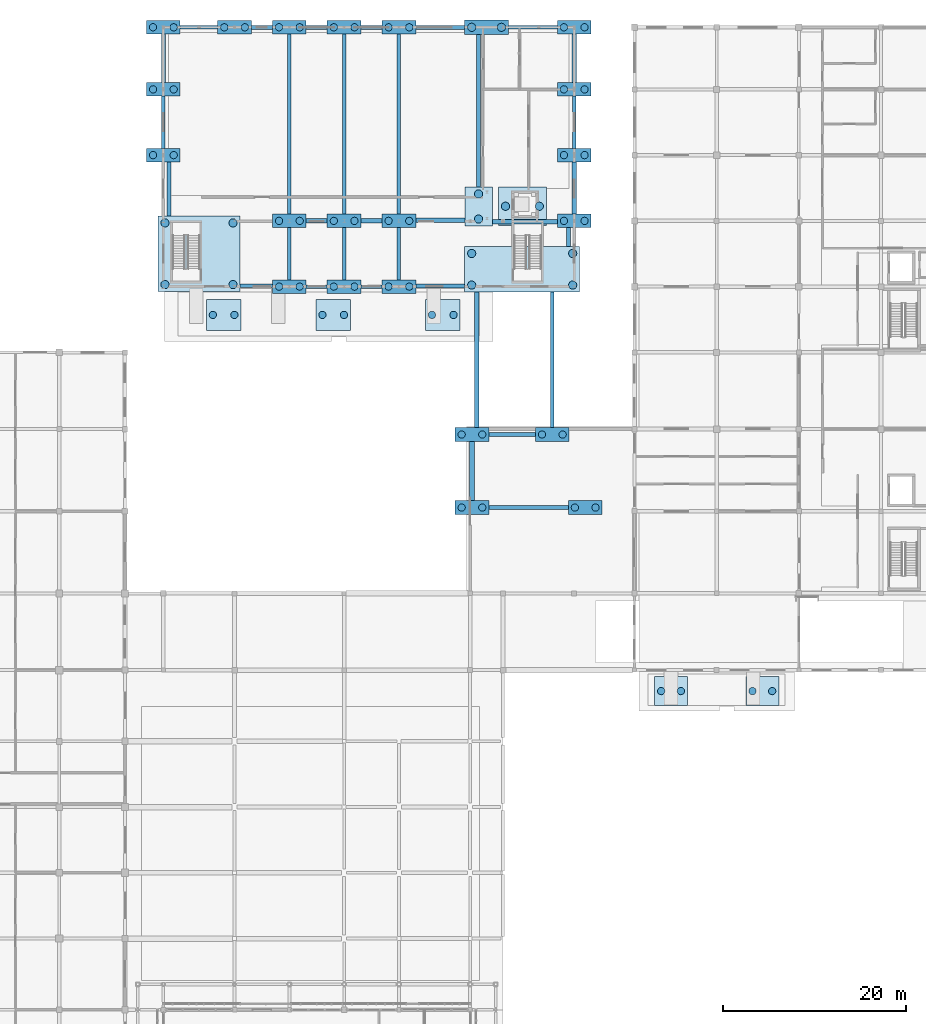
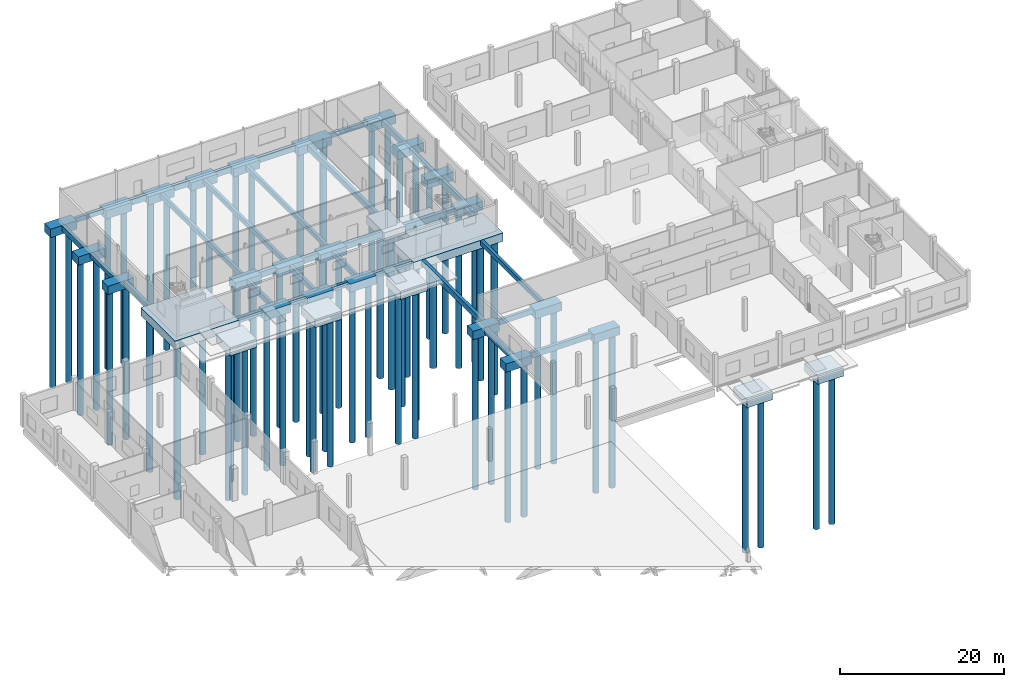
# One storey, part 1 of 91: 66 piles, 64 footings.
"""IFC4 building model written with IfcOpenShell, lengths in metres."""

from ifc_helpers import new_model, si_unit, direction, frame, origin, origin_2d, place, context, subcontext, project, spatial, rectangle, circle, extrude, material, material_profile, profile_set, type_object, element, save


model = new_model("IFC4")

# Units and contexts
model_context = context("Model", 3, precision=1e-05, world=origin(), true_north=direction((0.0, 1.0)))
body_context = subcontext(model_context, "Body", "Model", "MODEL_VIEW")
ifc_project = project(units=[si_unit("LENGTHUNIT", "METRE"), si_unit("AREAUNIT", "SQUARE_METRE"), si_unit("VOLUMEUNIT", "CUBIC_METRE"), si_unit("PLANEANGLEUNIT", "RADIAN"), si_unit("MASSUNIT", "GRAM", prefix="KILO")], contexts=[model_context])

# Site, building, storey
site_placement = place(None, origin())
site = spatial("IfcSite", under=ifc_project, at=site_placement, CompositionType="ELEMENT")
building_placement = place(site_placement, origin())
building = spatial("IfcBuilding", under=site, at=building_placement, Name="Vinh Khe Railworks Police Headquarters", CompositionType="ELEMENT")
storey_placement = place(building_placement, origin())
storey = spatial("IfcBuildingStorey", under=building, at=storey_placement, Name="L00", CompositionType="ELEMENT", Elevation=0.0)

# Piles
ifc_material = material(Name="Concrete C35/45 (B35)", Category="concrete")
ifc_material_profile_1 = material_profile(ifc_material, circle(Radius=0.39990234375, at=origin_2d()), Name="BORED PILE D800")
ifc_profile_set_1 = profile_set([ifc_material_profile_1], Name="Concrete C35/45 (B35)")
pile_type_1 = type_object("IfcPileType", Name="Bored Pile D800", PredefinedType="BORED", material=ifc_profile_set_1)
for number, where, z_axis, x_axis, name in (
    (1, (25.27001953125, 152.39990234375, -1.429931640625), (0.0, 0.0, -1.0), (1.0, 0.0, 0.0), "Bored Pile BP80-363"),
    (2, (27.530029296875, 152.39990234375, -1.429931640625), (0.0, 0.0, -1.0), (1.0, 0.0, 0.0), "Bored Pile BP80-364"),
    (3, (25.27001953125, 159.60009765625, -1.429931640625), (0.0, 0.0, -1.0), (1.0, 0.0, 0.0), "Bored Pile BP80-365"),
    (4, (27.530029296875, 159.60009765625, -1.429931640625), (0.0, 0.0, -1.0), (1.0, 0.0, 0.0), "Bored Pile BP80-366"),
    (5, (25.27001953125, 166.39990234375, -1.429931640625), (0.0, 0.0, -1.0), (1.0, 0.0, 0.0), "Bored Pile BP80-367"),
    (6, (27.530029296875, 166.39990234375, -1.429931640625), (0.0, 0.0, -1.0), (1.0, 0.0, 0.0), "Bored Pile BP80-368"),
    (7, (33.070068359375, 166.39990234375, -1.429931640625), (0.0, 0.0, -1.0), (1.0, 0.0, 0.0), "Bored Pile BP80-369"),
    (8, (35.330078125, 166.39990234375, -1.429931640625), (0.0, 0.0, -1.0), (1.0, 0.0, 0.0), "Bored Pile BP80-370"),
    (9, (39.070068359375, 138.0, -1.429931640625), (0.0, 0.0, -1.0), (1.0, 0.0, 0.0), "Bored Pile BP80-371"),
    (10, (41.330078125, 138.0, -1.429931640625), (0.0, 0.0, -1.0), (1.0, 0.0, 0.0), "Bored Pile BP80-372"),
    (11, (39.070068359375, 145.199951171875, -1.429931640625), (0.0, 0.0, -1.0), (1.0, 0.0, 0.0), "Bored Pile BP80-373"),
    (12, (41.330078125, 145.199951171875, -1.429931640625), (0.0, 0.0, -1.0), (1.0, 0.0, 0.0), "Bored Pile BP80-374"),
    (13, (39.070068359375, 166.39990234375, -1.429931640625), (0.0, 0.0, -1.0), (1.0, 0.0, 0.0), "Bored Pile BP80-375"),
    (14, (41.330078125, 166.39990234375, -1.429931640625), (0.0, 0.0, -1.0), (1.0, 0.0, 0.0), "Bored Pile BP80-376"),
    (15, (45.070068359375, 138.0, -1.429931640625), (0.0, 0.0, -1.0), (1.0, 0.0, 0.0), "Bored Pile BP80-377"),
    (16, (47.330078125, 138.0, -1.429931640625), (0.0, 0.0, -1.0), (1.0, 0.0, 0.0), "Bored Pile BP80-378"),
    (17, (45.070068359375, 145.199951171875, -1.429931640625), (0.0, 0.0, -1.0), (1.0, 0.0, 0.0), "Bored Pile BP80-379"),
    (18, (47.330078125, 145.199951171875, -1.429931640625), (0.0, 0.0, -1.0), (1.0, 0.0, 0.0), "Bored Pile BP80-380"),
    (19, (45.070068359375, 166.39990234375, -1.429931640625), (0.0, 0.0, -1.0), (1.0, 0.0, 0.0), "Bored Pile BP80-381"),
    (20, (47.330078125, 166.39990234375, -1.429931640625), (0.0, 0.0, -1.0), (1.0, 0.0, 0.0), "Bored Pile BP80-382"),
    (21, (51.070068359375, 138.0, -1.429931640625), (0.0, 0.0, -1.0), (1.0, 0.0, 0.0), "Bored Pile BP80-383"),
    (22, (53.330078125, 138.0, -1.429931640625), (0.0, 0.0, -1.0), (1.0, 0.0, 0.0), "Bored Pile BP80-384"),
    (23, (51.070068359375, 145.199951171875, -1.429931640625), (0.0, 0.0, -1.0), (1.0, 0.0, 0.0), "Bored Pile BP80-385"),
    (24, (53.330078125, 145.199951171875, -1.429931640625), (0.0, 0.0, -1.0), (1.0, 0.0, 0.0), "Bored Pile BP80-386"),
    (25, (51.070068359375, 166.39990234375, -1.429931640625), (0.0, 0.0, -1.0), (1.0, 0.0, 0.0), "Bored Pile BP80-387"),
    (26, (53.330078125, 166.39990234375, -1.429931640625), (0.0, 0.0, -1.0), (1.0, 0.0, 0.0), "Bored Pile BP80-388"),
    (27, (59.070068359375, 113.800048828125, -1.429931640625), (0.0, 0.0, -1.0), (1.0, 0.0, 0.0), "Bored Pile BP80-397"),
    (28, (61.330078125, 113.800048828125, -1.429931640625), (0.0, 0.0, -1.0), (1.0, 0.0, 0.0), "Bored Pile BP80-398"),
    (29, (59.070068359375, 121.800048828125, -1.429931640625), (0.0, 0.0, -1.0), (1.0, 0.0, 0.0), "Bored Pile BP80-399"),
    (30, (61.330078125, 121.800048828125, -1.429931640625), (0.0, 0.0, -1.0), (1.0, 0.0, 0.0), "Bored Pile BP80-400"),
    (31, (67.8701171875, 121.800048828125, -1.429931640625), (0.0, 0.0, -1.0), (1.0, 0.0, 0.0), "Bored Pile BP80-401"),
    (32, (70.1298828125, 121.800048828125, -1.429931640625), (0.0, 0.0, -1.0), (1.0, 0.0, 0.0), "Bored Pile BP80-402"),
    (33, (70.27001953125, 145.199951171875, -1.429931640625), (0.0, 0.0, -1.0), (1.0, 0.0, 0.0), "Bored Pile BP80-403"),
    (34, (72.530029296875, 145.199951171875, -1.429931640625), (0.0, 0.0, -1.0), (1.0, 0.0, 0.0), "Bored Pile BP80-404"),
    (35, (70.27001953125, 152.39990234375, -1.429931640625), (0.0, 0.0, -1.0), (1.0, 0.0, 0.0), "Bored Pile BP80-405"),
    (36, (72.530029296875, 152.39990234375, -1.429931640625), (0.0, 0.0, -1.0), (1.0, 0.0, 0.0), "Bored Pile BP80-406"),
    (37, (70.27001953125, 159.60009765625, -1.429931640625), (0.0, 0.0, -1.0), (1.0, 0.0, 0.0), "Bored Pile BP80-407"),
    (38, (72.530029296875, 159.60009765625, -1.429931640625), (0.0, 0.0, -1.0), (1.0, 0.0, 0.0), "Bored Pile BP80-408"),
    (39, (70.27001953125, 166.39990234375, -1.429931640625), (0.0, 0.0, -1.0), (1.0, 0.0, 0.0), "Bored Pile BP80-409"),
    (40, (72.530029296875, 166.39990234375, -1.429931640625), (0.0, 0.0, -1.0), (1.0, 0.0, 0.0), "Bored Pile BP80-410"),
    (41, (71.469970703125, 113.800048828125, -1.429931640625), (0.0, 0.0, -1.0), (1.0, 0.0, 0.0), "Bored Pile BP80-411"),
    (42, (73.72998046875, 113.800048828125, -1.429931640625), (0.0, 0.0, -1.0), (1.0, 0.0, 0.0), "Bored Pile BP80-412"),
):
    element("IfcPile", number, at=place(storey_placement, frame(where, z_axis=z_axis, x_axis=x_axis)), inside=storey, type_object=pile_type_1, Name=name, PredefinedType="BORED", context=body_context, shape_type="SweptSolid", body=[
        extrude(circle(Radius=0.39990234375, at=origin_2d()), origin(), (0.0, 0.0, 1.0), 22.919921875),
    ])
for number, where, z_axis, x_axis, name in (
    (43, (31.820068359375, 134.89990234375, -1.68994140625), (0.0, 0.0, -1.0), (1.0, 0.0, 0.0), "Bored Pile BP80-415"),
    (44, (34.179931640625, 134.89990234375, -1.68994140625), (0.0, 0.0, -1.0), (1.0, 0.0, 0.0), "Bored Pile BP80-416"),
    (45, (43.820068359375, 134.89990234375, -1.68994140625), (0.0, 0.0, -1.0), (1.0, 0.0, 0.0), "Bored Pile BP80-417"),
    (46, (46.179931640625, 134.89990234375, -1.68994140625), (0.0, 0.0, -1.0), (1.0, 0.0, 0.0), "Bored Pile BP80-418"),
    (47, (55.820068359375, 134.89990234375, -1.68994140625), (0.0, 0.0, -1.0), (1.0, 0.0, 0.0), "Bored Pile BP80-419"),
    (48, (58.179931640625, 134.89990234375, -1.68994140625), (0.0, 0.0, -1.0), (1.0, 0.0, 0.0), "Bored Pile BP80-420"),
    (49, (80.919921875, 93.699951171875, -1.68994140625), (0.0, 0.0, -1.0), (1.0, 0.0, 0.0), "Bored Pile BP80-421"),
    (50, (83.080078125, 93.699951171875, -1.68994140625), (0.0, 0.0, -1.0), (1.0, 0.0, 0.0), "Bored Pile BP80-422"),
    (51, (90.919921875, 93.699951171875, -1.68994140625), (0.0, 0.0, -1.0), (1.0, 0.0, 0.0), "Bored Pile BP80-423"),
    (52, (93.080078125, 93.699951171875, -1.68994140625), (0.0, 0.0, -1.0), (1.0, 0.0, 0.0), "Bored Pile BP80-424"),
):
    element("IfcPile", number, at=place(storey_placement, frame(where, z_axis=z_axis, x_axis=x_axis)), inside=storey, type_object=pile_type_1, Name=name, PredefinedType="BORED", context=body_context, shape_type="SweptSolid", body=[
        extrude(circle(Radius=0.39990234375, at=origin_2d()), origin(), (0.0, 0.0, 1.0), 22.659912109375),
    ])
ifc_material_profile_2 = material_profile(ifc_material, circle(Radius=0.449951171875, at=origin_2d()), Name="BORED PILE D900")
ifc_profile_set_2 = profile_set([ifc_material_profile_2], Name="Concrete C35/45 (B35)")
pile_type_2 = type_object("IfcPileType", Name="Bored Pile D900", PredefinedType="BORED", material=ifc_profile_set_2)
for number, where, z_axis, x_axis, name in (
    (53, (26.570068359375, 138.219970703125, -1.429931640625), (0.0, 0.0, -1.0), (1.0, 0.0, 0.0), "Bored Pile BP90-359"),
    (54, (26.570068359375, 144.97998046875, -1.429931640625), (0.0, 0.0, -1.0), (1.0, 0.0, 0.0), "Bored Pile BP90-360"),
    (55, (34.030029296875, 138.219970703125, -1.429931640625), (0.0, 0.0, -1.0), (1.0, 0.0, 0.0), "Bored Pile BP90-361"),
    (56, (34.030029296875, 144.97998046875, -1.429931640625), (0.0, 0.0, -1.0), (1.0, 0.0, 0.0), "Bored Pile BP90-362"),
    (57, (60.169921875, 138.169921875, -1.429931640625), (0.0, 0.0, -1.0), (1.0, 0.0, 0.0), "Bored Pile BP90-389"),
    (58, (60.169921875, 141.6298828125, -1.429931640625), (0.0, 0.0, -1.0), (1.0, 0.0, 0.0), "Bored Pile BP90-390"),
    (59, (71.22998046875, 138.169921875, -1.429931640625), (0.0, 0.0, -1.0), (1.0, 0.0, 0.0), "Bored Pile BP90-391"),
    (60, (71.22998046875, 141.6298828125, -1.429931640625), (0.0, 0.0, -1.0), (1.0, 0.0, 0.0), "Bored Pile BP90-392"),
    (61, (60.925048828125, 145.39501953125, -1.429931640625), (0.0, 0.0, -1.0), (1.0, 0.0, 0.0), "Bored Pile BP90-393"),
    (62, (60.925048828125, 148.155029296875, -1.429931640625), (0.0, 0.0, -1.0), (1.0, 0.0, 0.0), "Bored Pile BP90-394"),
    (63, (60.169921875, 166.39990234375, -1.429931640625), (0.0, 0.0, -1.0), (1.0, 0.0, 0.0), "Bored Pile BP90-395"),
    (64, (63.429931640625, 166.39990234375, -1.429931640625), (0.0, 0.0, -1.0), (1.0, 0.0, 0.0), "Bored Pile BP90-396"),
):
    element("IfcPile", number, at=place(storey_placement, frame(where, z_axis=z_axis, x_axis=x_axis)), inside=storey, type_object=pile_type_2, Name=name, PredefinedType="BORED", context=body_context, shape_type="SweptSolid", body=[
        extrude(circle(Radius=0.449951171875, at=origin_2d()), origin(), (0.0, 0.0, 1.0), 22.919921875),
    ])
for number, where, z_axis, x_axis, name in (
    (65, (63.8701171875, 146.800048828125, -3.300048828125), (0.0, 0.0, -1.0), (1.0, 0.0, 0.0), "Bored Pile BP90-413"),
    (66, (67.580078125, 146.800048828125, -3.300048828125), (0.0, 0.0, -1.0), (1.0, 0.0, 0.0), "Bored Pile BP90-414"),
):
    element("IfcPile", number, at=place(storey_placement, frame(where, z_axis=z_axis, x_axis=x_axis)), inside=storey, type_object=pile_type_2, Name=name, PredefinedType="BORED", context=body_context, shape_type="SweptSolid", body=[
        extrude(circle(Radius=0.449951171875, at=origin_2d()), origin(), (0.0, 0.0, 1.0), 21.050048828125),
    ])

# Footings
ifc_material_profile_3 = material_profile(ifc_material, rectangle(XDim=0.39990234375, YDim=0.699951171875, at=origin_2d()), Name="RC 400x700")
ifc_profile_set_3 = profile_set([ifc_material_profile_3], Name="Concrete C35/45 (B35)")
footing_type_1 = type_object("IfcFootingType", Name="Ground Tie Beam 400x700", PredefinedType="FOOTING_BEAM", material=ifc_profile_set_3)
footing_1_placement = place(storey_placement, frame((26.39990234375, 153.14990234375, -0.6298828125), z_axis=(0.0, 1.0, 0.0), x_axis=(-1.0, 0.0, 0.0)))
element("IfcFooting", 67, at=footing_1_placement, inside=storey, type_object=footing_type_1, Name="Ground Tie Beam FTG-GB-L00-EXT-Y231", PredefinedType="FOOTING_BEAM", context=body_context, shape_type="SweptSolid", body=[
    extrude(rectangle(XDim=0.39990234375, YDim=0.699951171875, at=origin_2d()), origin(), (0.0, 0.0, 1.0), 5.7001953125),
])
footing_2_placement = place(storey_placement, frame((28.25, 166.39990234375, -0.6298828125), z_axis=(1.0, 0.0, 0.0), x_axis=(0.0, 1.0, 0.0)))
element("IfcFooting", 68, at=footing_2_placement, inside=storey, type_object=footing_type_1, Name="Ground Tie Beam FTG-GB-L00-EXT-X233", PredefinedType="FOOTING_BEAM", context=body_context, shape_type="SweptSolid", body=[
    extrude(rectangle(XDim=0.39990234375, YDim=0.699951171875, at=origin_2d()), origin(), (0.0, 0.0, 1.0), 4.10009765625),
])
footing_3_placement = place(storey_placement, frame((42.050048828125, 138.0, -0.6298828125), z_axis=(1.0, 0.0, 0.0), x_axis=(0.0, 1.0, 0.0)))
element("IfcFooting", 69, at=footing_3_placement, inside=storey, type_object=footing_type_1, Name="Ground Tie Beam FTG-GB-L00-EXT-X235", PredefinedType="FOOTING_BEAM", context=body_context, shape_type="SweptSolid", body=[
    extrude(rectangle(XDim=0.39990234375, YDim=0.699951171875, at=origin_2d()), origin(), (0.0, 0.0, 1.0), 2.300048828125),
])
footing_4_placement = place(storey_placement, frame((40.199951171875, 145.949951171875, -0.6298828125), z_axis=(0.0, 1.0, 0.0), x_axis=(-1.0, 0.0, 0.0)))
element("IfcFooting", 70, at=footing_4_placement, inside=storey, type_object=footing_type_1, Name="Ground Tie Beam FTG-GB-L00-EXT-Y238", PredefinedType="FOOTING_BEAM", context=body_context, shape_type="SweptSolid", body=[
    extrude(rectangle(XDim=0.39990234375, YDim=0.699951171875, at=origin_2d()), origin(), (0.0, 0.0, 1.0), 19.699951171875),
])
footing_5_placement = place(storey_placement, frame((48.050048828125, 138.0, -0.6298828125), z_axis=(1.0, 0.0, 0.0), x_axis=(0.0, 1.0, 0.0)))
element("IfcFooting", 71, at=footing_5_placement, inside=storey, type_object=footing_type_1, Name="Ground Tie Beam FTG-GB-L00-EXT-X240", PredefinedType="FOOTING_BEAM", context=body_context, shape_type="SweptSolid", body=[
    extrude(rectangle(XDim=0.39990234375, YDim=0.699951171875, at=origin_2d()), origin(), (0.0, 0.0, 1.0), 2.300048828125),
])
footing_6_placement = place(storey_placement, frame((46.199951171875, 145.949951171875, -0.6298828125), z_axis=(0.0, 1.0, 0.0), x_axis=(-1.0, 0.0, 0.0)))
element("IfcFooting", 72, at=footing_6_placement, inside=storey, type_object=footing_type_1, Name="Ground Tie Beam FTG-GB-L00-EXT-Y243", PredefinedType="FOOTING_BEAM", context=body_context, shape_type="SweptSolid", body=[
    extrude(rectangle(XDim=0.39990234375, YDim=0.699951171875, at=origin_2d()), origin(), (0.0, 0.0, 1.0), 19.699951171875),
])
footing_7_placement = place(storey_placement, frame((54.050048828125, 138.074951171875, -0.6298828125), z_axis=(1.0, 0.0, 0.0), x_axis=(0.0, 1.0, 0.0)))
element("IfcFooting", 73, at=footing_7_placement, inside=storey, type_object=footing_type_1, Name="Ground Tie Beam FTG-GB-L00-EXT-X245", PredefinedType="FOOTING_BEAM", context=body_context, shape_type="SweptSolid", body=[
    extrude(rectangle(XDim=0.39990234375, YDim=0.699951171875, at=origin_2d()), origin(), (0.0, 0.0, 1.0), 5.349853515625),
])
footing_8_placement = place(storey_placement, frame((52.199951171875, 145.949951171875, -0.6298828125), z_axis=(0.0, 1.0, 0.0), x_axis=(-1.0, 0.0, 0.0)))
element("IfcFooting", 74, at=footing_8_placement, inside=storey, type_object=footing_type_1, Name="Ground Tie Beam FTG-GB-L00-EXT-Y248", PredefinedType="FOOTING_BEAM", context=body_context, shape_type="SweptSolid", body=[
    extrude(rectangle(XDim=0.39990234375, YDim=0.699951171875, at=origin_2d()), origin(), (0.0, 0.0, 1.0), 19.699951171875),
])
footing_9_placement = place(storey_placement, frame((70.77490234375, 142.39990234375, -0.6298828125), z_axis=(0.0, 1.0, 0.0), x_axis=(-1.0, 0.0, 0.0)))
element("IfcFooting", 75, at=footing_9_placement, inside=storey, type_object=footing_type_1, Name="Ground Tie Beam FTG-GB-L00-EXT-Y250", PredefinedType="FOOTING_BEAM", context=body_context, shape_type="SweptSolid", body=[
    extrude(rectangle(XDim=0.39990234375, YDim=0.699951171875, at=origin_2d()), origin(), (0.0, 0.0, 1.0), 2.050048828125),
])
footing_10_placement = place(storey_placement, frame((64.199951171875, 166.39990234375, -0.6298828125), z_axis=(1.0, 0.0, 0.0), x_axis=(0.0, 1.0, 0.0)))
element("IfcFooting", 76, at=footing_10_placement, inside=storey, type_object=footing_type_1, Name="Ground Tie Beam FTG-GB-L00-EXT-X252", PredefinedType="FOOTING_BEAM", context=body_context, shape_type="SweptSolid", body=[
    extrude(rectangle(XDim=0.39990234375, YDim=0.699951171875, at=origin_2d()), origin(), (0.0, 0.0, 1.0), 5.35009765625),
])
footing_11_placement = place(storey_placement, frame((69.0, 122.550048828125, -0.6298828125), z_axis=(0.0, 1.0, 0.0), x_axis=(-1.0, 0.0, 0.0)))
element("IfcFooting", 77, at=footing_11_placement, inside=storey, type_object=footing_type_1, Name="Ground Tie Beam FTG-GB-L00-EXT-Y257", PredefinedType="FOOTING_BEAM", context=body_context, shape_type="SweptSolid", body=[
    extrude(rectangle(XDim=0.39990234375, YDim=0.699951171875, at=origin_2d()), origin(), (0.0, 0.0, 1.0), 14.849853515625),
])
footing_12_placement = place(storey_placement, frame((71.39990234375, 153.14990234375, -0.6298828125), z_axis=(0.0, 1.0, 0.0), x_axis=(-1.0, 0.0, 0.0)))
element("IfcFooting", 78, at=footing_12_placement, inside=storey, type_object=footing_type_1, Name="Ground Tie Beam FTG-GB-L00-EXT-Y259", PredefinedType="FOOTING_BEAM", context=body_context, shape_type="SweptSolid", body=[
    extrude(rectangle(XDim=0.39990234375, YDim=0.699951171875, at=origin_2d()), origin(), (0.0, 0.0, 1.0), 5.7001953125),
])
ifc_material_profile_4 = material_profile(ifc_material, rectangle(XDim=0.39990234375, YDim=0.800048828125, at=origin_2d()), Name="RC 400x800")
ifc_profile_set_4 = profile_set([ifc_material_profile_4], Name="Concrete C35/45 (B35)")
footing_type_2 = type_object("IfcFootingType", Name="Ground Tie Beam 400x800", PredefinedType="FOOTING_BEAM", material=ifc_profile_set_4)
footing_13_placement = place(storey_placement, frame((34.800048828125, 138.10009765625, -0.679931640625), z_axis=(1.0, 0.0, 0.0), x_axis=(0.0, 1.0, 0.0)))
element("IfcFooting", 79, at=footing_13_placement, inside=storey, type_object=footing_type_2, Name="Ground Tie Beam FTG-GB-L00-EXT-X229", PredefinedType="FOOTING_BEAM", context=body_context, shape_type="SweptSolid", body=[
    extrude(rectangle(XDim=0.39990234375, YDim=0.800048828125, at=origin_2d()), origin(), (0.0, 0.0, 1.0), 3.550048828125),
])
for number, where, z_axis, x_axis, name in (
    (80, (40.199951171875, 138.75, -0.679931640625), (0.0, 1.0, 0.0), (-1.0, 0.0, 0.0), "Ground Tie Beam FTG-GB-L00-EXT-Y236"),
    (81, (46.199951171875, 138.75, -0.679931640625), (0.0, 1.0, 0.0), (-1.0, 0.0, 0.0), "Ground Tie Beam FTG-GB-L00-EXT-Y241"),
    (82, (52.199951171875, 138.75, -0.679931640625), (0.0, 1.0, 0.0), (-1.0, 0.0, 0.0), "Ground Tie Beam FTG-GB-L00-EXT-Y246"),
):
    element("IfcFooting", number, at=place(storey_placement, frame(where, z_axis=z_axis, x_axis=x_axis)), inside=storey, type_object=footing_type_2, Name=name, PredefinedType="FOOTING_BEAM", context=body_context, shape_type="SweptSolid", body=[
        extrude(rectangle(XDim=0.39990234375, YDim=0.800048828125, at=origin_2d()), origin(), (0.0, 0.0, 1.0), 5.699951171875),
    ])
footing_14_placement = place(storey_placement, frame((62.050048828125, 121.800048828125, -0.679931640625), z_axis=(1.0, 0.0, 0.0), x_axis=(0.0, 1.0, 0.0)))
element("IfcFooting", 83, at=footing_14_placement, inside=storey, type_object=footing_type_2, Name="Ground Tie Beam FTG-GB-L00-EXT-X255", PredefinedType="FOOTING_BEAM", context=body_context, shape_type="SweptSolid", body=[
    extrude(rectangle(XDim=0.39990234375, YDim=0.800048828125, at=origin_2d()), origin(), (0.0, 0.0, 1.0), 5.099853515625),
])
ifc_material_profile_5 = material_profile(ifc_material, rectangle(XDim=0.449951171875, YDim=0.85009765625, at=origin_2d()), Name="RC 450x850")
ifc_profile_set_5 = profile_set([ifc_material_profile_5], Name="Concrete C35/45 (B35)")
footing_type_3 = type_object("IfcFootingType", Name="Ground Tie Beam 450x850", PredefinedType="FOOTING_BEAM", material=ifc_profile_set_5)
footing_15_placement = place(storey_placement, frame((27.02490234375, 145.75, -0.705078125), z_axis=(0.0, 1.0, 0.0), x_axis=(-1.0, 0.0, 0.0)))
element("IfcFooting", 84, at=footing_15_placement, inside=storey, type_object=footing_type_3, Name="Ground Tie Beam FTG-GB-L00-EXT-Y230", PredefinedType="FOOTING_BEAM", context=body_context, shape_type="SweptSolid", body=[
    extrude(rectangle(XDim=0.449951171875, YDim=0.85009765625, at=origin_2d()), origin(), (0.0, 0.0, 1.0), 5.89990234375),
])
footing_16_placement = place(storey_placement, frame((26.39990234375, 160.35009765625, -0.705078125), z_axis=(0.0, 1.0, 0.0), x_axis=(-1.0, 0.0, 0.0)))
element("IfcFooting", 85, at=footing_16_placement, inside=storey, type_object=footing_type_3, Name="Ground Tie Beam FTG-GB-L00-EXT-Y232", PredefinedType="FOOTING_BEAM", context=body_context, shape_type="SweptSolid", body=[
    extrude(rectangle(XDim=0.449951171875, YDim=0.85009765625, at=origin_2d()), origin(), (0.0, 0.0, 1.0), 5.2998046875),
])
for number, where, z_axis, x_axis, name in (
    (86, (36.050048828125, 166.39990234375, -0.705078125), (1.0, 0.0, 0.0), (0.0, 1.0, 0.0), "Ground Tie Beam FTG-GB-L00-EXT-X234"),
    (87, (42.050048828125, 166.39990234375, -0.705078125), (1.0, 0.0, 0.0), (0.0, 1.0, 0.0), "Ground Tie Beam FTG-GB-L00-EXT-X239"),
    (88, (48.050048828125, 166.39990234375, -0.705078125), (1.0, 0.0, 0.0), (0.0, 1.0, 0.0), "Ground Tie Beam FTG-GB-L00-EXT-X244"),
):
    element("IfcFooting", number, at=place(storey_placement, frame(where, z_axis=z_axis, x_axis=x_axis)), inside=storey, type_object=footing_type_3, Name=name, PredefinedType="FOOTING_BEAM", context=body_context, shape_type="SweptSolid", body=[
        extrude(rectangle(XDim=0.449951171875, YDim=0.85009765625, at=origin_2d()), origin(), (0.0, 0.0, 1.0), 2.300048828125),
    ])
footing_17_placement = place(storey_placement, frame((54.050048828125, 166.39990234375, -0.705078125), z_axis=(1.0, 0.0, 0.0), x_axis=(0.0, 1.0, 0.0)))
element("IfcFooting", 89, at=footing_17_placement, inside=storey, type_object=footing_type_3, Name="Ground Tie Beam FTG-GB-L00-EXT-X249", PredefinedType="FOOTING_BEAM", context=body_context, shape_type="SweptSolid", body=[
    extrude(rectangle(XDim=0.449951171875, YDim=0.85009765625, at=origin_2d()), origin(), (0.0, 0.0, 1.0), 5.349853515625),
])
footing_18_placement = place(storey_placement, frame((60.925048828125, 148.925048828125, -0.705078125), z_axis=(0.0, 1.0, 0.0), x_axis=(-1.0, 0.0, 0.0)))
element("IfcFooting", 90, at=footing_18_placement, inside=storey, type_object=footing_type_3, Name="Ground Tie Beam FTG-GB-L00-EXT-Y251", PredefinedType="FOOTING_BEAM", context=body_context, shape_type="SweptSolid", body=[
    extrude(rectangle(XDim=0.449951171875, YDim=0.85009765625, at=origin_2d()), origin(), (0.0, 0.0, 1.0), 16.675048828125),
])
footing_19_placement = place(storey_placement, frame((62.050048828125, 113.800048828125, -0.705078125), z_axis=(1.0, 0.0, 0.0), x_axis=(0.0, 1.0, 0.0)))
element("IfcFooting", 91, at=footing_19_placement, inside=storey, type_object=footing_type_3, Name="Ground Tie Beam FTG-GB-L00-EXT-X253", PredefinedType="FOOTING_BEAM", context=body_context, shape_type="SweptSolid", body=[
    extrude(rectangle(XDim=0.449951171875, YDim=0.85009765625, at=origin_2d()), origin(), (0.0, 0.0, 1.0), 8.699951171875),
])
footing_20_placement = place(storey_placement, frame((60.72509765625, 122.550048828125, -0.705078125), z_axis=(0.0, 1.0, 0.0), x_axis=(-1.0, 0.0, 0.0)))
element("IfcFooting", 92, at=footing_20_placement, inside=storey, type_object=footing_type_3, Name="Ground Tie Beam FTG-GB-L00-EXT-Y256", PredefinedType="FOOTING_BEAM", context=body_context, shape_type="SweptSolid", body=[
    extrude(rectangle(XDim=0.449951171875, YDim=0.85009765625, at=origin_2d()), origin(), (0.0, 0.0, 1.0), 14.849853515625),
])
footing_21_placement = place(storey_placement, frame((71.39990234375, 145.949951171875, -0.705078125), z_axis=(0.0, 1.0, 0.0), x_axis=(-1.0, 0.0, 0.0)))
element("IfcFooting", 93, at=footing_21_placement, inside=storey, type_object=footing_type_3, Name="Ground Tie Beam FTG-GB-L00-EXT-Y258", PredefinedType="FOOTING_BEAM", context=body_context, shape_type="SweptSolid", body=[
    extrude(rectangle(XDim=0.449951171875, YDim=0.85009765625, at=origin_2d()), origin(), (0.0, 0.0, 1.0), 5.699951171875),
])
footing_22_placement = place(storey_placement, frame((71.39990234375, 160.35009765625, -0.705078125), z_axis=(0.0, 1.0, 0.0), x_axis=(-1.0, 0.0, 0.0)))
element("IfcFooting", 94, at=footing_22_placement, inside=storey, type_object=footing_type_3, Name="Ground Tie Beam FTG-GB-L00-EXT-Y260", PredefinedType="FOOTING_BEAM", context=body_context, shape_type="SweptSolid", body=[
    extrude(rectangle(XDim=0.449951171875, YDim=0.85009765625, at=origin_2d()), origin(), (0.0, 0.0, 1.0), 5.2998046875),
])
ifc_material_profile_6 = material_profile(ifc_material, rectangle(XDim=0.5, YDim=0.89990234375, at=origin_2d()), Name="RC 500x900")
ifc_profile_set_6 = profile_set([ifc_material_profile_6], Name="Concrete C35/45 (B35)")
footing_type_4 = type_object("IfcFootingType", Name="Ground Tie Beam 500x900", PredefinedType="FOOTING_BEAM", material=ifc_profile_set_6)
for number, where, z_axis, x_axis, name in (
    (95, (42.050048828125, 145.199951171875, -0.72998046875), (1.0, 0.0, 0.0), (0.0, 1.0, 0.0), "Ground Tie Beam FTG-GB-L00-EXT-X237"),
    (96, (48.050048828125, 145.199951171875, -0.72998046875), (1.0, 0.0, 0.0), (0.0, 1.0, 0.0), "Ground Tie Beam FTG-GB-L00-EXT-X242"),
):
    element("IfcFooting", number, at=place(storey_placement, frame(where, z_axis=z_axis, x_axis=x_axis)), inside=storey, type_object=footing_type_4, Name=name, PredefinedType="FOOTING_BEAM", context=body_context, shape_type="SweptSolid", body=[
        extrude(rectangle(XDim=0.5, YDim=0.89990234375, at=origin_2d()), origin(), (0.0, 0.0, 1.0), 2.300048828125),
    ])
footing_23_placement = place(storey_placement, frame((54.050048828125, 145.28759765625, -0.72998046875), z_axis=(1.0, 0.0, 0.0), x_axis=(0.0, 1.0, 0.0)))
element("IfcFooting", 97, at=footing_23_placement, inside=storey, type_object=footing_type_4, Name="Ground Tie Beam FTG-GB-L00-EXT-X247", PredefinedType="FOOTING_BEAM", context=body_context, shape_type="SweptSolid", body=[
    extrude(rectangle(XDim=0.5, YDim=0.89990234375, at=origin_2d()), origin(), (0.0, 0.0, 1.0), 5.375),
])
footing_24_placement = place(storey_placement, frame((60.199951171875, 114.550048828125, -0.72998046875), z_axis=(0.0, 1.0, 0.0), x_axis=(-1.0, 0.0, 0.0)))
element("IfcFooting", 98, at=footing_24_placement, inside=storey, type_object=footing_type_4, Name="Ground Tie Beam FTG-GB-L00-EXT-Y254", PredefinedType="FOOTING_BEAM", context=body_context, shape_type="SweptSolid", body=[
    extrude(rectangle(XDim=0.5, YDim=0.89990234375, at=origin_2d()), origin(), (0.0, 0.0, 1.0), 6.5),
])
footing_25_placement = place(storey_placement, frame((62.425048828125, 145.125, -0.72998046875), z_axis=(1.0, 0.0, 0.0), x_axis=(0.0, 1.0, 0.0)))
element("IfcFooting", 99, at=footing_25_placement, inside=storey, type_object=footing_type_4, Name="Ground Tie Beam FTG-GB-L00-EXT-X261", PredefinedType="FOOTING_BEAM", context=body_context, shape_type="SweptSolid", body=[
    extrude(rectangle(XDim=0.5, YDim=0.89990234375, at=origin_2d()), origin(), (0.0, 0.0, 1.0), 7.125),
])
footing_type_5 = type_object("IfcFootingType", Name="Pile Cap 12600x5000x1250", PredefinedType="PILE_CAP", material=ifc_material)
footing_26_placement = place(storey_placement, frame((65.699951171875, 139.89990234375, -1.530029296875), z_axis=(0.0, 0.0, 1.0), x_axis=(1.0, 0.0, 0.0)))
element("IfcFooting", 100, at=footing_26_placement, inside=storey, type_object=footing_type_5, Name="Pile Cap PC-146", PredefinedType="PILE_CAP", context=body_context, shape_type="SweptSolid", body=[
    extrude(rectangle(XDim=12.60009765625, YDim=5.0, at=origin_2d()), origin(), (0.0, 0.0, 1.0), 1.25),
])
footing_type_6 = type_object("IfcFootingType", Name="Pile Cap 3000x4300x1250", PredefinedType="PILE_CAP", material=ifc_material)
footing_27_placement = place(storey_placement, frame((60.925048828125, 146.77490234375, -1.530029296875), z_axis=(0.0, 0.0, 1.0), x_axis=(1.0, 0.0, 0.0)))
element("IfcFooting", 101, at=footing_27_placement, inside=storey, type_object=footing_type_6, Name="Pile Cap PC-147", PredefinedType="PILE_CAP", context=body_context, shape_type="SweptSolid", body=[
    extrude(rectangle(XDim=3.0, YDim=4.300048828125, at=origin_2d()), origin(), (0.0, 0.0, 1.0), 1.25),
])
footing_type_7 = type_object("IfcFootingType", Name="Pile Cap 3600x3200x1250", PredefinedType="PILE_CAP", material=ifc_material)
for number, where, z_axis, x_axis, name in (
    (102, (82.0, 93.699951171875, -1.7900390625), (0.0, 0.0, 1.0), (1.0, 0.0, 0.0), "Pile Cap PC-161"),
    (103, (92.0, 93.699951171875, -1.7900390625), (0.0, 0.0, 1.0), (1.0, 0.0, 0.0), "Pile Cap PC-162"),
):
    element("IfcFooting", number, at=place(storey_placement, frame(where, z_axis=z_axis, x_axis=x_axis)), inside=storey, type_object=footing_type_7, Name=name, PredefinedType="PILE_CAP", context=body_context, shape_type="SweptSolid", body=[
        extrude(rectangle(XDim=3.60009765625, YDim=3.199951171875, at=origin_2d()), origin(), (0.0, 0.0, 1.0), 1.25),
    ])
footing_type_8 = type_object("IfcFootingType", Name="Pile Cap 3700x1500x1250", PredefinedType="PILE_CAP", material=ifc_material)
for number, where, z_axis, x_axis, name in (
    (104, (26.39990234375, 152.39990234375, -1.530029296875), (0.0, 0.0, 1.0), (1.0, 0.0, 0.0), "Pile Cap PC-133"),
    (105, (26.39990234375, 159.60009765625, -1.530029296875), (0.0, 0.0, 1.0), (1.0, 0.0, 0.0), "Pile Cap PC-134"),
    (106, (26.39990234375, 166.39990234375, -1.530029296875), (0.0, 0.0, 1.0), (1.0, 0.0, 0.0), "Pile Cap PC-135"),
    (107, (34.199951171875, 166.39990234375, -1.530029296875), (0.0, 0.0, 1.0), (1.0, 0.0, 0.0), "Pile Cap PC-136"),
    (108, (40.199951171875, 138.0, -1.530029296875), (0.0, 0.0, 1.0), (1.0, 0.0, 0.0), "Pile Cap PC-137"),
    (109, (40.199951171875, 145.199951171875, -1.530029296875), (0.0, 0.0, 1.0), (1.0, 0.0, 0.0), "Pile Cap PC-138"),
    (110, (40.199951171875, 166.39990234375, -1.530029296875), (0.0, 0.0, 1.0), (1.0, 0.0, 0.0), "Pile Cap PC-139"),
    (111, (46.199951171875, 138.0, -1.530029296875), (0.0, 0.0, 1.0), (1.0, 0.0, 0.0), "Pile Cap PC-140"),
    (112, (46.199951171875, 145.199951171875, -1.530029296875), (0.0, 0.0, 1.0), (1.0, 0.0, 0.0), "Pile Cap PC-141"),
    (113, (46.199951171875, 166.39990234375, -1.530029296875), (0.0, 0.0, 1.0), (1.0, 0.0, 0.0), "Pile Cap PC-142"),
    (114, (52.199951171875, 138.0, -1.530029296875), (0.0, 0.0, 1.0), (1.0, 0.0, 0.0), "Pile Cap PC-143"),
    (115, (52.199951171875, 145.199951171875, -1.530029296875), (0.0, 0.0, 1.0), (1.0, 0.0, 0.0), "Pile Cap PC-144"),
    (116, (52.199951171875, 166.39990234375, -1.530029296875), (0.0, 0.0, 1.0), (1.0, 0.0, 0.0), "Pile Cap PC-145"),
    (117, (60.199951171875, 113.800048828125, -1.530029296875), (0.0, 0.0, 1.0), (1.0, 0.0, 0.0), "Pile Cap PC-149"),
    (118, (60.199951171875, 121.800048828125, -1.530029296875), (0.0, 0.0, 1.0), (1.0, 0.0, 0.0), "Pile Cap PC-150"),
    (119, (69.0, 121.800048828125, -1.530029296875), (0.0, 0.0, 1.0), (1.0, 0.0, 0.0), "Pile Cap PC-151"),
    (120, (71.39990234375, 145.199951171875, -1.530029296875), (0.0, 0.0, 1.0), (1.0, 0.0, 0.0), "Pile Cap PC-152"),
    (121, (71.39990234375, 152.39990234375, -1.530029296875), (0.0, 0.0, 1.0), (1.0, 0.0, 0.0), "Pile Cap PC-153"),
    (122, (71.39990234375, 159.60009765625, -1.530029296875), (0.0, 0.0, 1.0), (1.0, 0.0, 0.0), "Pile Cap PC-154"),
    (123, (71.39990234375, 166.39990234375, -1.530029296875), (0.0, 0.0, 1.0), (1.0, 0.0, 0.0), "Pile Cap PC-155"),
    (124, (72.60009765625, 113.800048828125, -1.530029296875), (0.0, 0.0, 1.0), (1.0, 0.0, 0.0), "Pile Cap PC-156"),
):
    element("IfcFooting", number, at=place(storey_placement, frame(where, z_axis=z_axis, x_axis=x_axis)), inside=storey, type_object=footing_type_8, Name=name, PredefinedType="PILE_CAP", context=body_context, shape_type="SweptSolid", body=[
        extrude(rectangle(XDim=3.699951171875, YDim=1.5, at=origin_2d()), origin(), (0.0, 0.0, 1.0), 1.25),
    ])
footing_type_9 = type_object("IfcFootingType", Name="Pile Cap 3800x3400x1250", PredefinedType="PILE_CAP", material=ifc_material)
for number, where, z_axis, x_axis, name in (
    (125, (33.0, 134.89990234375, -1.7900390625), (0.0, 0.0, 1.0), (1.0, 0.0, 0.0), "Pile Cap PC-158"),
    (126, (45.0, 134.89990234375, -1.7900390625), (0.0, 0.0, 1.0), (1.0, 0.0, 0.0), "Pile Cap PC-159"),
    (127, (57.0, 134.89990234375, -1.7900390625), (0.0, 0.0, 1.0), (1.0, 0.0, 0.0), "Pile Cap PC-160"),
):
    element("IfcFooting", number, at=place(storey_placement, frame(where, z_axis=z_axis, x_axis=x_axis)), inside=storey, type_object=footing_type_9, Name=name, PredefinedType="PILE_CAP", context=body_context, shape_type="SweptSolid", body=[
        extrude(rectangle(XDim=3.800048828125, YDim=3.39990234375, at=origin_2d()), origin(), (0.0, 0.0, 1.0), 1.25),
    ])
footing_type_10 = type_object("IfcFootingType", Name="Pile Cap 4800x1600x1250", PredefinedType="PILE_CAP", material=ifc_material)
footing_28_placement = place(storey_placement, frame((61.800048828125, 166.39990234375, -1.530029296875), z_axis=(0.0, 0.0, 1.0), x_axis=(1.0, 0.0, 0.0)))
element("IfcFooting", 128, at=footing_28_placement, inside=storey, type_object=footing_type_10, Name="Pile Cap PC-148", PredefinedType="PILE_CAP", context=body_context, shape_type="SweptSolid", body=[
    extrude(rectangle(XDim=4.800048828125, YDim=1.60009765625, at=origin_2d()), origin(), (0.0, 0.0, 1.0), 1.25),
])
footing_type_11 = type_object("IfcFootingType", Name="Pile Cap 5250x4200x1250", PredefinedType="PILE_CAP", material=ifc_material)
footing_29_placement = place(storey_placement, frame((65.72509765625, 146.800048828125, -3.39990234375), z_axis=(0.0, 0.0, 1.0), x_axis=(1.0, 0.0, 0.0)))
element("IfcFooting", 129, at=footing_29_placement, inside=storey, type_object=footing_type_11, Name="Pile Cap PC-157", PredefinedType="PILE_CAP", context=body_context, shape_type="SweptSolid", body=[
    extrude(rectangle(XDim=5.25, YDim=4.199951171875, at=origin_2d()), origin(), (0.0, 0.0, 1.0), 1.25),
])
footing_type_12 = type_object("IfcFootingType", Name="Pile Cap 9000x8300x1250", PredefinedType="PILE_CAP", material=ifc_material)
footing_30_placement = place(storey_placement, frame((30.300048828125, 141.60009765625, -1.530029296875), z_axis=(0.0, 0.0, 1.0), x_axis=(1.0, 0.0, 0.0)))
element("IfcFooting", 130, at=footing_30_placement, inside=storey, type_object=footing_type_12, Name="Pile Cap PC-132", PredefinedType="PILE_CAP", context=body_context, shape_type="SweptSolid", body=[
    extrude(rectangle(XDim=9.0, YDim=8.300048828125, at=origin_2d()), origin(), (0.0, 0.0, 1.0), 1.25),
])

save(model, "model.ifc")
